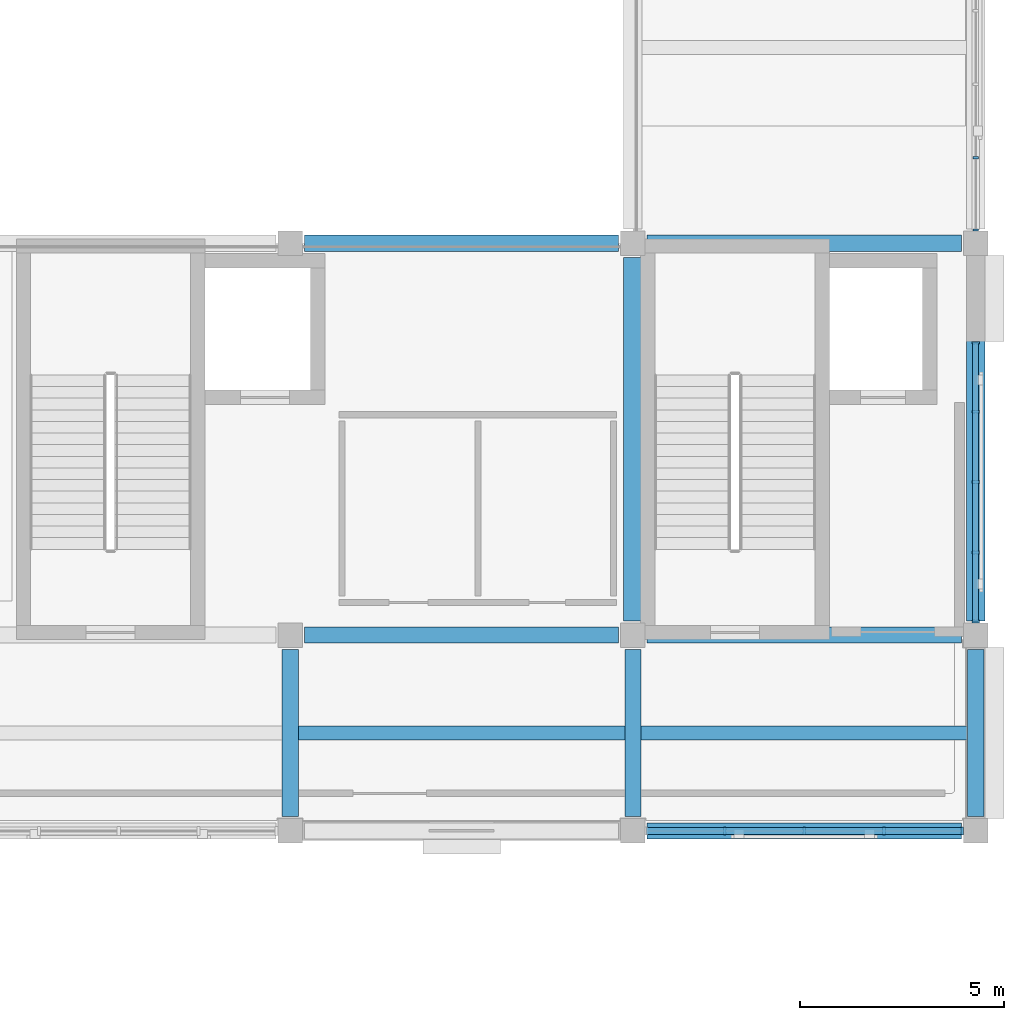
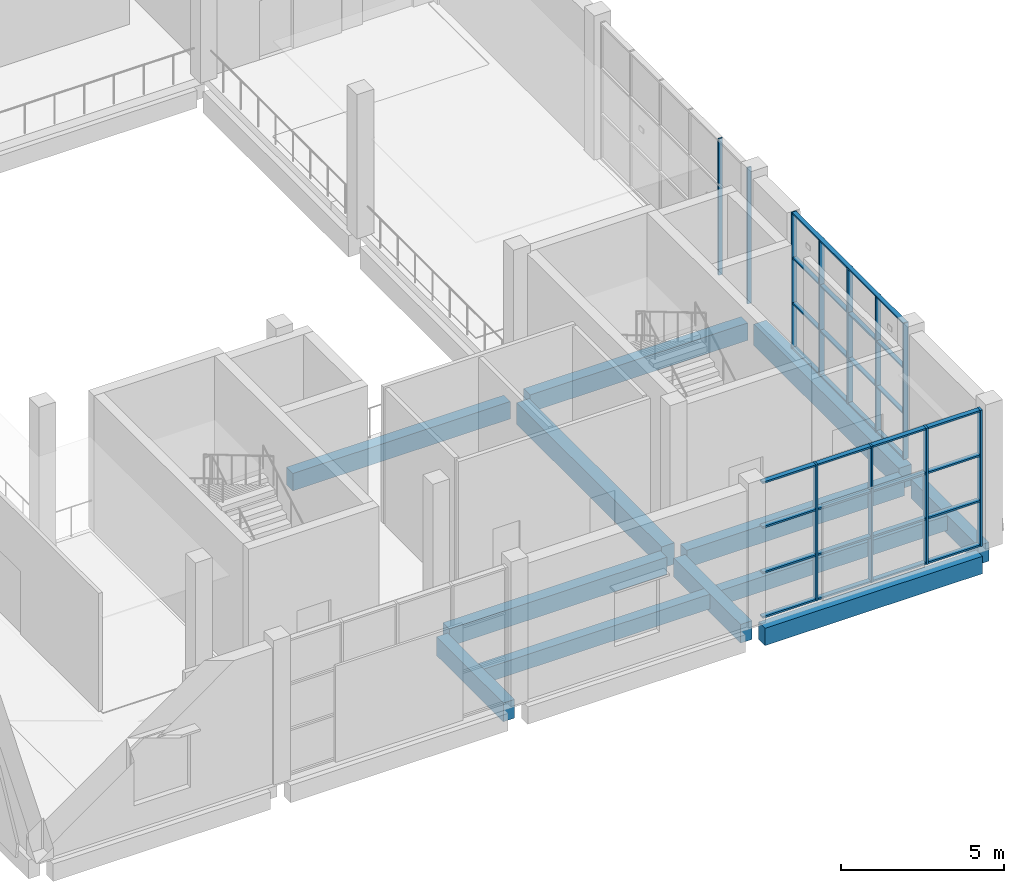
# One storey, part 23 of 57: 19 members, 12 beams, 3 elements without a shape of their own.
"""IFC4 building model written with IfcOpenShell, lengths in metres."""

import ifcopenshell
import ifcopenshell.guid

model = None  # the IFC model being written
_history = None  # IfcOwnerHistory: only IFC2X3 demands one
_inside = {}  # id of a spatial element -> (the spatial element, [elements in it])
_under = {}  # id of a project, library or spatial element -> (it, [spatial elements below it])
_declared = {}  # id of a project -> (the project, [libraries it declares])
_typed = {}  # id of a type object -> (the type object, [elements of that type])
_made_of = {}  # id of a material, layer set ... -> (it, [elements and type objects made of it])


def new_model(schema):
    """Start an empty IFC model of exactly this schema.

    Asked for "IFC4X3", IfcOpenShell would pick the latest addendum, in which some entities
    have other attributes; the version numbers below select the first issue.
    IFC2X3 requires an IfcOwnerHistory on every rooted entity: one is made here for all.
    """
    global model, _history
    if schema == "IFC4X3":
        model = ifcopenshell.file(schema_version=(4, 3, 0, 0))
    else:
        model = ifcopenshell.file(schema=schema)
    _inside.clear()
    _under.clear()
    _declared.clear()
    _typed.clear()
    _made_of.clear()
    _history = None
    if model.schema == "IFC2X3":
        org = make("IfcOrganization", Name="unknown")
        user = make(
            "IfcPersonAndOrganization",
            ThePerson=make("IfcPerson", FamilyName="unknown"),
            TheOrganization=org,
        )
        app = make(
            "IfcApplication",
            ApplicationDeveloper=org,
            Version="unknown",
            ApplicationFullName="unknown",
            ApplicationIdentifier="unknown",
        )
        _history = make(
            "IfcOwnerHistory",
            OwningUser=user,
            OwningApplication=app,
            ChangeAction="ADDED",
            CreationDate=0,
        )
    return model


def make(cls, **values):
    """One entity of the class cls with the attributes given. An attribute that is None is left unset."""
    return model.create_entity(
        cls, **{name: value for name, value in values.items() if value is not None}
    )


def rooted(cls, **values):
    """An entity with a GlobalId (a new one), such as an element, a storey or a relation."""
    return make(cls, GlobalId=ifcopenshell.guid.new(), OwnerHistory=_history, **values)


def si_unit(unit_type, name, prefix=None):
    """IfcSIUnit, for example si_unit("LENGTHUNIT", "METRE", prefix="MILLI")."""
    return make("IfcSIUnit", UnitType=unit_type, Prefix=prefix, Name=name)


def assignment(units):
    """IfcUnitAssignment: the units of a project."""
    return None if units is None else make("IfcUnitAssignment", Units=units)


def point(xyz):
    """IfcCartesianPoint."""
    return None if xyz is None else make("IfcCartesianPoint", Coordinates=xyz)


def direction(xyz):
    """IfcDirection."""
    return None if xyz is None else make("IfcDirection", DirectionRatios=xyz)


def frame(location, z_axis=None, x_axis=None):
    """IfcAxis2Placement3D, a coordinate frame: its origin and axes. An axis left out is left unset."""
    return make(
        "IfcAxis2Placement3D",
        Location=point(location),
        Axis=direction(z_axis),
        RefDirection=direction(x_axis),
    )


def frame_2d(location, x_axis=None):
    """IfcAxis2Placement2D, a coordinate frame in the plane: its origin and x axis."""
    return make(
        "IfcAxis2Placement2D", Location=point(location), RefDirection=direction(x_axis)
    )


def origin():
    """The frame at (0, 0, 0) with its axes left unset."""
    return frame((0.0, 0.0, 0.0))


def origin_2d():
    """The frame at (0, 0) in the plane with its x axis left unset."""
    return frame_2d((0.0, 0.0))


def place(relative_to, where):
    """IfcLocalPlacement: puts the frame where relative to a parent placement (None: the world)."""
    return make(
        "IfcLocalPlacement", PlacementRelTo=relative_to, RelativePlacement=where
    )


def context(
    kind, dimensions, precision=None, world=None, true_north=None, identifier=None
):
    """IfcGeometricRepresentationContext, for example the 3D "Model" context."""
    return make(
        "IfcGeometricRepresentationContext",
        ContextIdentifier=identifier,
        ContextType=kind,
        CoordinateSpaceDimension=dimensions,
        Precision=precision,
        WorldCoordinateSystem=world,
        TrueNorth=true_north,
    )


def subcontext(parent, identifier, kind, view, scale=None):
    """IfcGeometricRepresentationSubContext, for example "Body" below "Model"."""
    return make(
        "IfcGeometricRepresentationSubContext",
        ContextIdentifier=identifier,
        ContextType=kind,
        ParentContext=parent,
        TargetScale=scale,
        TargetView=view,
    )


def project(units=None, contexts=None):
    """IfcProject with its units and contexts."""
    return rooted(
        "IfcProject",
        Name="project",
        RepresentationContexts=contexts,
        UnitsInContext=assignment(units),
    )


def spatial(cls, under=None, at=None, **own):
    """A site, building, storey or space (cls), placed at a placement, below another one or the project."""
    s = rooted(cls, ObjectPlacement=at, **own)
    if under is not None:
        _under.setdefault(under.id(), (under, []))[1].append(s)
    return s


def profile(cls, at=None, kind="AREA", **sizes):
    """A parametric profile (cls). Its sizes go by their IFC names, for example OverallWidth=200.0."""
    return make(cls, ProfileType=kind, Position=at, **sizes)


def rectangle(**sizes):
    """IfcRectangleProfileDef."""
    return profile("IfcRectangleProfileDef", **sizes)


def extrude(swept, where, along, depth):
    """IfcExtrudedAreaSolid: the profile swept, set in the frame where, extruded along a direction by depth."""
    return make(
        "IfcExtrudedAreaSolid",
        SweptArea=swept,
        Position=where,
        ExtrudedDirection=direction(along),
        Depth=depth,
    )


def shape(context_of_items, identifier, shape_type, items):
    """IfcShapeRepresentation: the items that make up one representation, for example the "Body"."""
    return make(
        "IfcShapeRepresentation",
        ContextOfItems=context_of_items,
        RepresentationIdentifier=identifier,
        RepresentationType=shape_type,
        Items=items,
    )


def material(Name=None, Category=None):
    """IfcMaterial."""
    return make("IfcMaterial", Name=Name, Category=Category)


def material_profile(
    of_material, cross_section, Name=None, Category=None, Priority=None
):
    """IfcMaterialProfile: a cross section and its material."""
    return make(
        "IfcMaterialProfile",
        Name=Name,
        Material=of_material,
        Profile=cross_section,
        Priority=Priority,
        Category=Category,
    )


def profile_set(profiles, Name=None, composite=None):
    """IfcMaterialProfileSet."""
    return make(
        "IfcMaterialProfileSet",
        Name=Name,
        MaterialProfiles=profiles,
        CompositeProfile=composite,
    )


def made_of(thing, what):
    """Note that an element or type object is made of a material, layer set ...; save() writes the relation."""
    if what is not None:
        _made_of.setdefault(what.id(), (what, []))[1].append(thing)
    return thing


def type_object(cls, material=None, **own):
    """A type object (cls), such as IfcWallType, which elements share."""
    return made_of(rooted(cls, **own), material)


def element(
    cls,
    number,
    at=None,
    inside=None,
    cuts=None,
    type_object=None,
    material=None,
    context=None,
    identifier="Body",
    shape_type=None,
    held_by="IfcProductDefinitionShape",
    body=None,
    shapes=None,
    **own,
):
    """One element of the class cls, such as IfcWall. Its Tag is "e" and its number.

    at: its placement. inside: the storey or other place that contains it. cuts: it is an
    opening in that element (IfcRelVoidsElement). A single representation is given by context,
    identifier, shape_type and body (its items); several are given by shapes. held_by: the class
    of the entity that holds the representations. save() writes the other relations.
    """
    e = rooted(cls, Tag="e%d" % number, ObjectPlacement=at, **own)
    if body is not None:
        shapes = [shape(context, identifier, shape_type, body)]
    if shapes is not None:
        e.Representation = make(held_by, Representations=shapes)
    if inside is not None:
        _inside.setdefault(inside.id(), (inside, []))[1].append(e)
    if cuts is not None:
        rooted(
            "IfcRelVoidsElement", RelatingBuildingElement=cuts, RelatedOpeningElement=e
        )
    if type_object is not None:
        _typed.setdefault(type_object.id(), (type_object, []))[1].append(e)
    return made_of(e, material)


def aggregate(whole, parts):
    """IfcRelAggregates: a whole, such as a stair, and the parts it consists of."""
    return rooted("IfcRelAggregates", RelatingObject=whole, RelatedObjects=parts)


def save(model, path):
    """Write the relations noted so far, then the file.

    IfcRelAggregates (storeys below a building ...), IfcRelContainedInSpatialStructure (elements
    in a storey), IfcRelDefinesByType, IfcRelAssociatesMaterial and IfcRelDeclares: one each for
    every whole, place, type object, material and project.
    """
    for whole, parts in _under.values():
        aggregate(whole, parts)
    for where, things in _inside.values():
        rooted(
            "IfcRelContainedInSpatialStructure",
            RelatedElements=things,
            RelatingStructure=where,
        )
    for kind, things in _typed.values():
        rooted("IfcRelDefinesByType", RelatedObjects=things, RelatingType=kind)
    for what, things in _made_of.values():
        rooted("IfcRelAssociatesMaterial", RelatedObjects=things, RelatingMaterial=what)
    for by, libraries in _declared.values():
        rooted("IfcRelDeclares", RelatingContext=by, RelatedDefinitions=libraries)
    model.write(path)


model = new_model("IFC4")

# Units and contexts
model_context = context("Model", 3, precision=1e-05, world=origin(), true_north=direction((0.0, 1.0)))
body_context = subcontext(model_context, "Body", "Model", "MODEL_VIEW")
ifc_project = project(units=[si_unit("LENGTHUNIT", "METRE"), si_unit("AREAUNIT", "SQUARE_METRE"), si_unit("VOLUMEUNIT", "CUBIC_METRE"), si_unit("PLANEANGLEUNIT", "RADIAN"), si_unit("MASSUNIT", "GRAM", prefix="KILO")], contexts=[model_context])

# Site, building, storey
site_placement = place(None, origin())
site = spatial("IfcSite", under=ifc_project, at=site_placement, CompositionType="ELEMENT")
building_placement = place(site_placement, origin())
building = spatial("IfcBuilding", under=site, at=building_placement, Name="Shalvenor Court Art Gallery", CompositionType="ELEMENT")
storey_placement = place(building_placement, frame((0.0, 0.0, 16.800048828125)))
storey = spatial("IfcBuildingStorey", under=building, at=storey_placement, Name="L03", CompositionType="ELEMENT", Elevation=16.800048828125)

# Beams
ifc_material_1 = material(Name="Concrete C40/50", Category="concrete")
ifc_material_profile_1 = material_profile(ifc_material_1, rectangle(XDim=0.449951171875, YDim=0.800048828125, at=origin_2d()), Name="RC 450x800")
ifc_profile_set_1 = profile_set([ifc_material_profile_1], Name="Concrete C40/50")
beam_type_1 = type_object("IfcBeamType", Name="B-03", PredefinedType="BEAM", material=ifc_profile_set_1)
for number, where, z_axis, x_axis, name in (
    (1, (168.0, 50.75, -0.699951171875), (0.0, 1.0, 0.0), (-1.0, 0.0, 0.0), "L03 Girder BM-L03-B-03-1029"),
    (2, (176.39990234375, 50.75, -0.699951171875), (0.0, 1.0, 0.0), (-1.0, 0.0, 0.0), "L03 Girder BM-L03-B-03-1035"),
):
    element("IfcBeam", number, at=place(storey_placement, frame(where, z_axis=z_axis, x_axis=x_axis)), inside=storey, type_object=beam_type_1, Name=name, PredefinedType="BEAM", context=body_context, shape_type="SweptSolid", body=[
        extrude(rectangle(XDim=0.449951171875, YDim=0.800048828125, at=origin_2d()), origin(), (0.0, 0.0, 1.0), 8.89990234375),
    ])
ifc_material_2 = material(Name="Concrete C40/50", Category="concrete")
ifc_material_profile_2 = material_profile(ifc_material_2, rectangle(XDim=0.39990234375, YDim=0.699951171875, at=origin_2d()), Name="RC 400x700")
ifc_profile_set_2 = profile_set([ifc_material_profile_2], Name="Concrete C40/50")
beam_type_2 = type_object("IfcBeamType", Name="B-05", PredefinedType="BEAM", material=ifc_profile_set_2)
for number, where, z_axis, x_axis, name in (
    (3, (159.60009765625, 45.949951171875, -0.650146484375), (0.0, 1.0, 0.0), (-1.0, 0.0, 0.0), "L03 Girder BM-L03-B-05-1025"),
    (4, (168.0, 45.949951171875, -0.650146484375), (0.0, 1.0, 0.0), (-1.0, 0.0, 0.0), "L03 Girder BM-L03-B-05-1028"),
    (5, (176.39990234375, 45.949951171875, -0.650146484375), (0.0, 1.0, 0.0), (-1.0, 0.0, 0.0), "L03 Girder BM-L03-B-05-1034"),
):
    element("IfcBeam", number, at=place(storey_placement, frame(where, z_axis=z_axis, x_axis=x_axis)), inside=storey, type_object=beam_type_2, Name=name, PredefinedType="BEAM", context=body_context, shape_type="SweptSolid", body=[
        extrude(rectangle(XDim=0.39990234375, YDim=0.699951171875, at=origin_2d()), origin(), (0.0, 0.0, 1.0), 4.10009765625),
    ])
ifc_material_3 = material(Name="Concrete C40/50", Category="concrete")
ifc_material_profile_3 = material_profile(ifc_material_3, rectangle(XDim=0.39990234375, YDim=0.64990234375, at=origin_2d()), Name="RC 400x650")
ifc_profile_set_3 = profile_set([ifc_material_profile_3], Name="Concrete C40/50")
beam_type_3 = type_object("IfcBeamType", Name="B-06", PredefinedType="BEAM", material=ifc_profile_set_3)
for number, where, z_axis, x_axis, name in (
    (6, (168.35009765625, 45.60009765625, -0.625), (1.0, 0.0, 0.0), (0.0, 1.0, 0.0), "L03 Girder BM-L03-B-06-1070"),
    (7, (159.949951171875, 50.39990234375, -0.625), (1.0, 0.0, 0.0), (0.0, 1.0, 0.0), "L03 Girder BM-L03-B-06-1073"),
    (8, (168.35009765625, 50.39990234375, -0.625), (1.0, 0.0, 0.0), (0.0, 1.0, 0.0), "L03 Girder BM-L03-B-06-1074"),
    (9, (159.949951171875, 60.0, -0.625), (1.0, 0.0, 0.0), (0.0, 1.0, 0.0), "L03 Girder BM-L03-B-06-1077"),
    (10, (168.35009765625, 60.0, -0.625), (1.0, 0.0, 0.0), (0.0, 1.0, 0.0), "L03 Girder BM-L03-B-06-1078"),
):
    element("IfcBeam", number, at=place(storey_placement, frame(where, z_axis=z_axis, x_axis=x_axis)), inside=storey, type_object=beam_type_3, Name=name, PredefinedType="BEAM", context=body_context, shape_type="SweptSolid", body=[
        extrude(rectangle(XDim=0.39990234375, YDim=0.64990234375, at=origin_2d()), origin(), (0.0, 0.0, 1.0), 7.699951171875),
    ])

# Curtain wall, members
ifc_material_4 = material(Name="Anodised aluminium and low-iron glass curtain wall", Category="aluminium")
curtain_wall_type_1 = type_object("IfcCurtainWallType", Name="CW-4x3-69-51-112", PredefinedType="USERDEFINED", material=ifc_material_4)
curtain_wall_1_placement = place(storey_placement, origin())
curtain_wall_1 = element("IfcCurtainWall", 11, at=curtain_wall_1_placement, inside=storey, type_object=curtain_wall_type_1, Name="L03 V1 Curtain Wall CW-L03-024", ObjectType="CURTAIN WALL", PredefinedType="USERDEFINED")
ifc_material_5 = material(Name="Anodised aluminium mullion", Category="aluminium")
ifc_material_profile_4 = material_profile(ifc_material_5, rectangle(XDim=0.06494140625, YDim=0.179931640625, at=origin_2d()), Name="CWM-01")
ifc_profile_set_4 = profile_set([ifc_material_profile_4], Name="Anodised aluminium mullion")
member_type_1 = type_object("IfcMemberType", Name="CWM-01", PredefinedType="MULLION", material=ifc_profile_set_4)
member_1_placement = place(storey_placement, frame((176.39990234375, 57.5673828125, 0.0), z_axis=(0.0, 0.0, 1.0), x_axis=(0.0, -1.0, 0.0)))
member_1 = element("IfcMember", 12, at=member_1_placement, type_object=member_type_1, Name="CW-4x3-69-51-112 mullion 1", PredefinedType="MULLION", context=body_context, shape_type="SweptSolid", body=[
    extrude(rectangle(XDim=0.06494140625, YDim=0.179931640625, at=origin_2d()), origin(), (0.0, 0.0, 1.0), 5.099853515625),
])
member_2_placement = place(storey_placement, frame((176.39990234375, 55.875, 0.0), z_axis=(0.0, 0.0, 1.0), x_axis=(0.0, -1.0, 0.0)))
member_2 = element("IfcMember", 13, at=member_2_placement, type_object=member_type_1, Name="CW-4x3-69-51-112 mullion 2", PredefinedType="MULLION", context=body_context, shape_type="SweptSolid", body=[
    extrude(rectangle(XDim=0.06494140625, YDim=0.179931640625, at=origin_2d()), origin(), (0.0, 0.0, 1.0), 5.099853515625),
])
member_3_placement = place(storey_placement, frame((176.39990234375, 54.14990234375, 0.0), z_axis=(0.0, 0.0, 1.0), x_axis=(0.0, -1.0, 0.0)))
member_3 = element("IfcMember", 14, at=member_3_placement, type_object=member_type_1, Name="CW-4x3-69-51-112 mullion 3", PredefinedType="MULLION", context=body_context, shape_type="SweptSolid", body=[
    extrude(rectangle(XDim=0.06494140625, YDim=0.179931640625, at=origin_2d()), origin(), (0.0, 0.0, 1.0), 5.099853515625),
])
member_4_placement = place(storey_placement, frame((176.39990234375, 52.425048828125, 0.0), z_axis=(0.0, 0.0, 1.0), x_axis=(0.0, -1.0, 0.0)))
member_4 = element("IfcMember", 15, at=member_4_placement, type_object=member_type_1, Name="CW-4x3-69-51-112 mullion 4", PredefinedType="MULLION", context=body_context, shape_type="SweptSolid", body=[
    extrude(rectangle(XDim=0.06494140625, YDim=0.179931640625, at=origin_2d()), origin(), (0.0, 0.0, 1.0), 5.099853515625),
])
member_5_placement = place(storey_placement, frame((176.39990234375, 50.732421875, 0.0), z_axis=(0.0, 0.0, 1.0), x_axis=(0.0, -1.0, 0.0)))
member_5 = element("IfcMember", 16, at=member_5_placement, type_object=member_type_1, Name="CW-4x3-69-51-112 mullion 5", PredefinedType="MULLION", context=body_context, shape_type="SweptSolid", body=[
    extrude(rectangle(XDim=0.06494140625, YDim=0.179931640625, at=origin_2d()), origin(), (0.0, 0.0, 1.0), 5.099853515625),
])

ifc_material_6 = material(Name="Anodised aluminium and low-iron glass curtain wall", Category="aluminium")
curtain_wall_type_2 = type_object("IfcCurtainWallType", Name="CW-4x3-78-51-222", PredefinedType="USERDEFINED", material=ifc_material_6)
curtain_wall_2_placement = place(storey_placement, origin())
curtain_wall_2 = element("IfcCurtainWall", 17, at=curtain_wall_2_placement, inside=storey, type_object=curtain_wall_type_2, Name="L03 V1 Curtain Wall CW-L03-025", ObjectType="CURTAIN WALL", PredefinedType="USERDEFINED")
ifc_material_7 = material(Name="Anodised aluminium mullion", Category="aluminium")
ifc_material_profile_5 = material_profile(ifc_material_7, rectangle(XDim=0.070068359375, YDim=0.199951171875, at=origin_2d()), Name="CWM-02")
ifc_profile_set_5 = profile_set([ifc_material_profile_5], Name="Anodised aluminium mullion")
member_type_2 = type_object("IfcMemberType", Name="CWM-02", PredefinedType="MULLION", material=ifc_profile_set_5)
member_6_placement = place(storey_placement, frame((176.06494140625, 45.60009765625, 0.0), z_axis=(0.0, 0.0, 1.0), x_axis=(-1.0, 0.0, 0.0)))
member_6 = element("IfcMember", 18, at=member_6_placement, type_object=member_type_2, Name="CW-4x3-78-51-222 mullion 1", PredefinedType="MULLION", context=body_context, shape_type="SweptSolid", body=[
    extrude(rectangle(XDim=0.070068359375, YDim=0.199951171875, at=origin_2d()), origin(), (0.0, 0.0, 1.0), 5.099853515625),
])
member_7_placement = place(storey_placement, frame((174.14990234375, 45.60009765625, 0.0), z_axis=(0.0, 0.0, 1.0), x_axis=(-1.0, 0.0, 0.0)))
member_7 = element("IfcMember", 19, at=member_7_placement, type_object=member_type_2, Name="CW-4x3-78-51-222 mullion 2", PredefinedType="MULLION", context=body_context, shape_type="SweptSolid", body=[
    extrude(rectangle(XDim=0.070068359375, YDim=0.199951171875, at=origin_2d()), origin(), (0.0, 0.0, 1.0), 5.099853515625),
])
member_8_placement = place(storey_placement, frame((172.199951171875, 45.60009765625, 0.0), z_axis=(0.0, 0.0, 1.0), x_axis=(-1.0, 0.0, 0.0)))
member_8 = element("IfcMember", 20, at=member_8_placement, type_object=member_type_2, Name="CW-4x3-78-51-222 mullion 3", PredefinedType="MULLION", context=body_context, shape_type="SweptSolid", body=[
    extrude(rectangle(XDim=0.070068359375, YDim=0.199951171875, at=origin_2d()), origin(), (0.0, 0.0, 1.0), 5.099853515625),
])
member_9_placement = place(storey_placement, frame((170.25, 45.60009765625, 0.0), z_axis=(0.0, 0.0, 1.0), x_axis=(-1.0, 0.0, 0.0)))
member_9 = element("IfcMember", 21, at=member_9_placement, type_object=member_type_2, Name="CW-4x3-78-51-222 mullion 4", PredefinedType="MULLION", context=body_context, shape_type="SweptSolid", body=[
    extrude(rectangle(XDim=0.070068359375, YDim=0.199951171875, at=origin_2d()), origin(), (0.0, 0.0, 1.0), 5.099853515625),
])

ifc_material_8 = material(Name="Anodised aluminium and low-iron glass curtain wall", Category="aluminium")
curtain_wall_type_3 = type_object("IfcCurtainWallType", Name="CW-5x3-90-51-642", PredefinedType="USERDEFINED", material=ifc_material_8)
curtain_wall_3_placement = place(storey_placement, origin())
curtain_wall_3 = element("IfcCurtainWall", 22, at=curtain_wall_3_placement, inside=storey, type_object=curtain_wall_type_3, Name="L03 V1 Curtain Wall CW-L03-023", ObjectType="CURTAIN WALL", PredefinedType="USERDEFINED")
ifc_material_9 = material(Name="Anodised aluminium mullion", Category="aluminium")
ifc_material_profile_6 = material_profile(ifc_material_9, rectangle(XDim=0.054931640625, YDim=0.139892578125, at=origin_2d()), Name="CWM-06")
ifc_profile_set_6 = profile_set([ifc_material_profile_6], Name="Anodised aluminium mullion")
member_type_3 = type_object("IfcMemberType", Name="CWM-06", PredefinedType="MULLION", material=ifc_profile_set_6)
member_10_placement = place(storey_placement, frame((176.39990234375, 62.10009765625, 0.0), z_axis=(0.0, 0.0, 1.0), x_axis=(0.0, -1.0, 0.0)))
member_10 = element("IfcMember", 23, at=member_10_placement, type_object=member_type_3, Name="CW-5x3-90-51-642 mullion 5", PredefinedType="MULLION", context=body_context, shape_type="SweptSolid", body=[
    extrude(rectangle(XDim=0.054931640625, YDim=0.139892578125, at=origin_2d()), origin(), (0.0, 0.0, 1.0), 5.099853515625),
])
member_11_placement = place(storey_placement, frame((176.39990234375, 60.327392578125, 0.0), z_axis=(0.0, 0.0, 1.0), x_axis=(0.0, -1.0, 0.0)))
member_11 = element("IfcMember", 24, at=member_11_placement, type_object=member_type_3, Name="CW-5x3-90-51-642 mullion 6", PredefinedType="MULLION", context=body_context, shape_type="SweptSolid", body=[
    extrude(rectangle(XDim=0.054931640625, YDim=0.139892578125, at=origin_2d()), origin(), (0.0, 0.0, 1.0), 5.099853515625),
])
aggregate(curtain_wall_3, [member_10, member_11])

# Member
ifc_material_10 = material(Name="Anodised aluminium transom", Category="aluminium")
ifc_material_profile_7 = material_profile(ifc_material_10, rectangle(XDim=0.14990234375, YDim=0.06005859375, at=origin_2d()), Name="CWT-01")
ifc_profile_set_7 = profile_set([ifc_material_profile_7], Name="Anodised aluminium transom")
member_type_4 = type_object("IfcMemberType", Name="CWT-01", PredefinedType="USERDEFINED", material=ifc_profile_set_7)
member_12_placement = place(storey_placement, frame((176.39990234375, 57.5673828125, 0.030029296875), z_axis=(0.0, -1.0, 0.0), x_axis=(1.0, 0.0, 0.0)))
member_12 = element("IfcMember", 25, at=member_12_placement, type_object=member_type_4, Name="CW-4x3-69-51-112 transom 1", ObjectType="TRANSOM", PredefinedType="USERDEFINED", context=body_context, shape_type="SweptSolid", body=[
    extrude(rectangle(XDim=0.14990234375, YDim=0.06005859375, at=origin_2d()), origin(), (0.0, 0.0, 1.0), 6.8349609375),
])

member_13_placement = place(storey_placement, frame((176.39990234375, 57.5673828125, 1.699951171875), z_axis=(0.0, -1.0, 0.0), x_axis=(1.0, 0.0, 0.0)))
member_13 = element("IfcMember", 26, at=member_13_placement, type_object=member_type_4, Name="CW-4x3-69-51-112 transom 2", ObjectType="TRANSOM", PredefinedType="USERDEFINED", context=body_context, shape_type="SweptSolid", body=[
    extrude(rectangle(XDim=0.14990234375, YDim=0.06005859375, at=origin_2d()), origin(), (0.0, 0.0, 1.0), 6.8349609375),
])

member_14_placement = place(storey_placement, frame((176.39990234375, 57.5673828125, 3.39990234375), z_axis=(0.0, -1.0, 0.0), x_axis=(1.0, 0.0, 0.0)))
member_14 = element("IfcMember", 27, at=member_14_placement, type_object=member_type_4, Name="CW-4x3-69-51-112 transom 3", ObjectType="TRANSOM", PredefinedType="USERDEFINED", context=body_context, shape_type="SweptSolid", body=[
    extrude(rectangle(XDim=0.14990234375, YDim=0.06005859375, at=origin_2d()), origin(), (0.0, 0.0, 1.0), 6.8349609375),
])

member_15_placement = place(storey_placement, frame((176.39990234375, 57.5673828125, 5.070068359375), z_axis=(0.0, -1.0, 0.0), x_axis=(1.0, 0.0, 0.0)))
member_15 = element("IfcMember", 28, at=member_15_placement, type_object=member_type_4, Name="CW-4x3-69-51-112 transom 4", ObjectType="TRANSOM", PredefinedType="USERDEFINED", context=body_context, shape_type="SweptSolid", body=[
    extrude(rectangle(XDim=0.14990234375, YDim=0.06005859375, at=origin_2d()), origin(), (0.0, 0.0, 1.0), 6.8349609375),
])

aggregate(curtain_wall_1, [member_1, member_2, member_3, member_4, member_5, member_12, member_13, member_14, member_15])

ifc_material_11 = material(Name="Anodised aluminium transom", Category="aluminium")
ifc_material_profile_8 = material_profile(ifc_material_11, rectangle(XDim=0.169921875, YDim=0.06494140625, at=origin_2d()), Name="CWT-02")
ifc_profile_set_8 = profile_set([ifc_material_profile_8], Name="Anodised aluminium transom")
member_type_5 = type_object("IfcMemberType", Name="CWT-02", PredefinedType="USERDEFINED", material=ifc_profile_set_8)
member_16_placement = place(storey_placement, frame((176.06494140625, 45.60009765625, 0.032470703125), z_axis=(-1.0, 0.0, 0.0), x_axis=(0.0, -1.0, 0.0)))
member_16 = element("IfcMember", 29, at=member_16_placement, type_object=member_type_5, Name="CW-4x3-78-51-222 transom 1", ObjectType="TRANSOM", PredefinedType="USERDEFINED", context=body_context, shape_type="SweptSolid", body=[
    extrude(rectangle(XDim=0.169921875, YDim=0.06494140625, at=origin_2d()), origin(), (0.0, 0.0, 1.0), 7.72998046875),
])

member_17_placement = place(storey_placement, frame((176.06494140625, 45.60009765625, 1.699951171875), z_axis=(-1.0, 0.0, 0.0), x_axis=(0.0, -1.0, 0.0)))
member_17 = element("IfcMember", 30, at=member_17_placement, type_object=member_type_5, Name="CW-4x3-78-51-222 transom 2", ObjectType="TRANSOM", PredefinedType="USERDEFINED", context=body_context, shape_type="SweptSolid", body=[
    extrude(rectangle(XDim=0.169921875, YDim=0.06494140625, at=origin_2d()), origin(), (0.0, 0.0, 1.0), 7.72998046875),
])

member_18_placement = place(storey_placement, frame((176.06494140625, 45.60009765625, 3.39990234375), z_axis=(-1.0, 0.0, 0.0), x_axis=(0.0, -1.0, 0.0)))
member_18 = element("IfcMember", 31, at=member_18_placement, type_object=member_type_5, Name="CW-4x3-78-51-222 transom 3", ObjectType="TRANSOM", PredefinedType="USERDEFINED", context=body_context, shape_type="SweptSolid", body=[
    extrude(rectangle(XDim=0.169921875, YDim=0.06494140625, at=origin_2d()), origin(), (0.0, 0.0, 1.0), 7.72998046875),
])

member_19_placement = place(storey_placement, frame((176.06494140625, 45.60009765625, 5.0673828125), z_axis=(-1.0, 0.0, 0.0), x_axis=(0.0, -1.0, 0.0)))
member_19 = element("IfcMember", 32, at=member_19_placement, type_object=member_type_5, Name="CW-4x3-78-51-222 transom 4", ObjectType="TRANSOM", PredefinedType="USERDEFINED", context=body_context, shape_type="SweptSolid", body=[
    extrude(rectangle(XDim=0.169921875, YDim=0.06494140625, at=origin_2d()), origin(), (0.0, 0.0, 1.0), 7.72998046875),
])

aggregate(curtain_wall_2, [member_6, member_7, member_8, member_9, member_16, member_17, member_18, member_19])

# Beams
ifc_material_12 = material(Name="Concrete C40/50", Category="concrete")
ifc_material_profile_9 = material_profile(ifc_material_12, rectangle(XDim=0.35009765625, YDim=0.550048828125, at=origin_2d()), Name="RC 350x550")
ifc_profile_set_9 = profile_set([ifc_material_profile_9], Name="Concrete C40/50")
beam_type_4 = type_object("IfcBeamType", Name="J-02", PredefinedType="JOIST", material=ifc_profile_set_9)
for number, where, z_axis, x_axis, name in (
    (33, (159.800048828125, 48.0, -0.574951171875), (1.0, 0.0, 0.0), (0.0, 1.0, 0.0), "L03 Secondary Beam JST-L03-J-02-1161"),
    (34, (168.199951171875, 48.0, -0.574951171875), (1.0, 0.0, 0.0), (0.0, 1.0, 0.0), "L03 Secondary Beam JST-L03-J-02-1164"),
):
    element("IfcBeam", number, at=place(storey_placement, frame(where, z_axis=z_axis, x_axis=x_axis)), inside=storey, type_object=beam_type_4, Name=name, PredefinedType="JOIST", context=body_context, shape_type="SweptSolid", body=[
        extrude(rectangle(XDim=0.35009765625, YDim=0.550048828125, at=origin_2d()), origin(), (0.0, 0.0, 1.0), 8.0),
    ])

save(model, "model.ifc")
